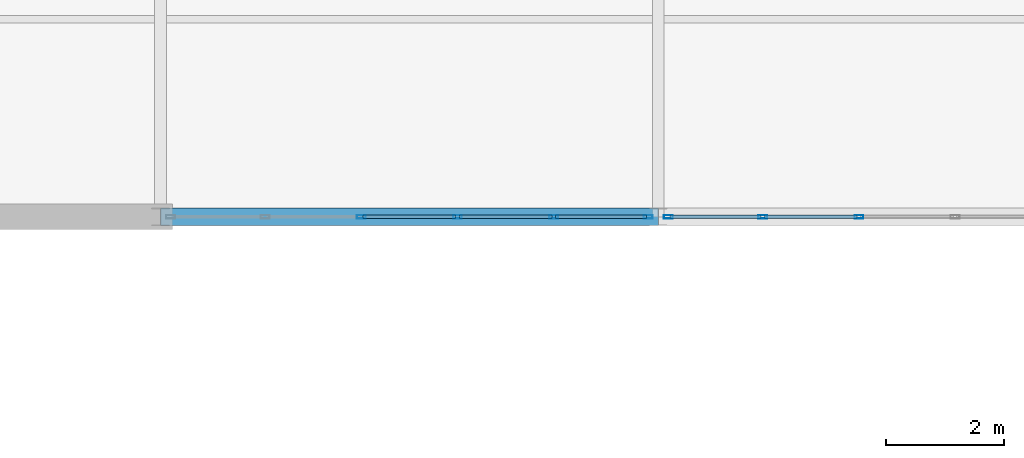
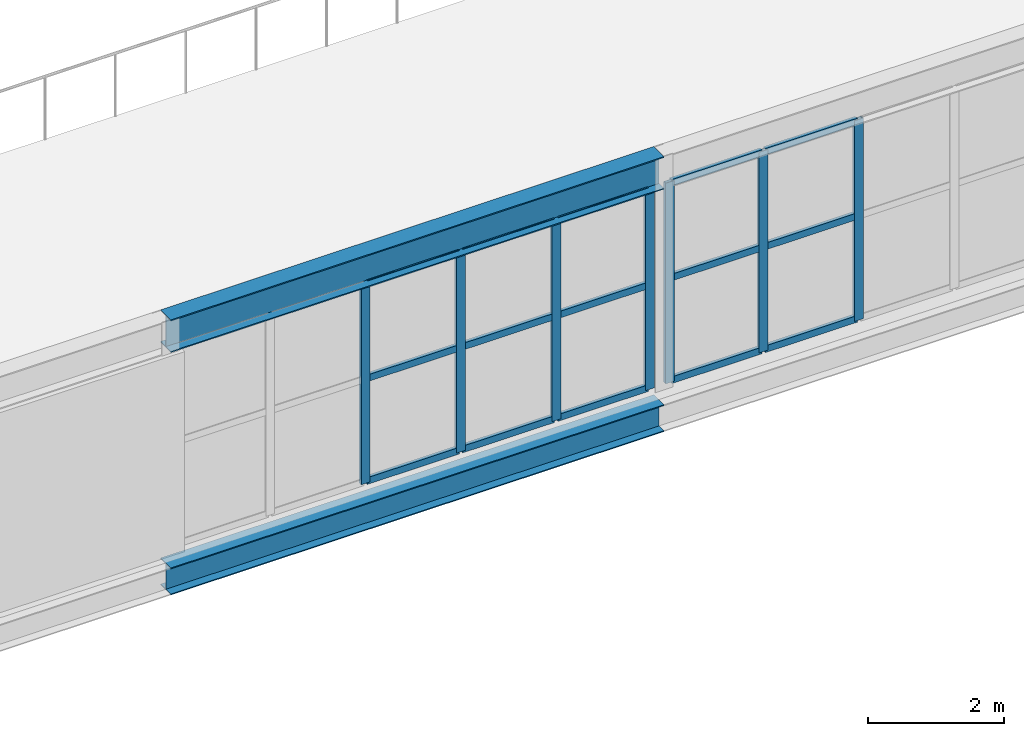
# One storey, part 91 of 218: 22 members, 2 beams, 2 elements without a shape of their own.
"""IFC4 building model written with IfcOpenShell, lengths in metres."""

from ifc_helpers import new_model, si_unit, direction, frame, origin, origin_2d, place, context, subcontext, project, spatial, hollow_rectangle, i_section, extrude, material, material_profile, profile_set, type_object, element, aggregate, save


model = new_model("IFC4")

# Units and contexts
model_context = context("Model", 3, precision=1e-05, world=origin(), true_north=direction((0.0, 1.0)))
body_context = subcontext(model_context, "Body", "Model", "MODEL_VIEW")
ifc_project = project(units=[si_unit("LENGTHUNIT", "METRE"), si_unit("AREAUNIT", "SQUARE_METRE"), si_unit("VOLUMEUNIT", "CUBIC_METRE"), si_unit("PLANEANGLEUNIT", "RADIAN"), si_unit("MASSUNIT", "GRAM", prefix="KILO")], contexts=[model_context])

# Site, building, storey
site_placement = place(None, origin())
site = spatial("IfcSite", under=ifc_project, at=site_placement, CompositionType="ELEMENT")
building_placement = place(site_placement, origin())
building = spatial("IfcBuilding", under=site, at=building_placement, Name="Kazenagashi Tramway Depot", CompositionType="ELEMENT")
storey_placement = place(building_placement, frame((0.0, 0.0, 6.0)))
storey = spatial("IfcBuildingStorey", under=building, at=storey_placement, Name="L02", CompositionType="ELEMENT", Elevation=6.0)

# Curtain wall, members
ifc_material_1 = material(Name="Anodised Aluminium and Low-E Glazing", Category="aluminium")
curtain_wall_type = type_object("IfcCurtainWallType", Name="CW-11", PredefinedType="USERDEFINED", material=ifc_material_1)
curtain_wall_1_placement = place(storey_placement, origin())
curtain_wall_1 = element("IfcCurtainWall", 1, at=curtain_wall_1_placement, inside=storey, type_object=curtain_wall_type, Name="Industrial Glazed Screen CW-11 CW-0020", ObjectType="GLAZED SCREEN", PredefinedType="USERDEFINED")
ifc_material_2 = material(Name="Anodised Aluminium", Category="aluminium")
ifc_material_profile_1 = material_profile(ifc_material_2, hollow_rectangle(XDim=0.06, YDim=0.15, WallThickness=0.004, at=origin_2d()), Name="RHS-150x60x4")
ifc_profile_set_1 = profile_set([ifc_material_profile_1], Name="Anodised Aluminium")
member_type_1 = type_object("IfcMemberType", Name="ML-01", PredefinedType="MULLION", material=ifc_profile_set_1)
member_1_placement = place(storey_placement, frame((64.988, 70.0, 0.0), z_axis=(0.0, 0.0, 1.0), x_axis=(0.0, 1.0, 0.0)))
member_1 = element("IfcMember", 2, at=member_1_placement, type_object=member_type_1, Name="CW-11 mullion 3", PredefinedType="MULLION", context=body_context, shape_type="SweptSolid", body=[
    extrude(hollow_rectangle(XDim=0.06, YDim=0.15, WallThickness=0.004, at=origin_2d()), origin(), (0.0, 0.0, 1.0), 3.612),
])
member_2_placement = place(storey_placement, frame((66.612, 70.0, 0.0), z_axis=(0.0, 0.0, 1.0), x_axis=(0.0, 1.0, 0.0)))
member_2 = element("IfcMember", 3, at=member_2_placement, type_object=member_type_1, Name="CW-11 mullion 4", PredefinedType="MULLION", context=body_context, shape_type="SweptSolid", body=[
    extrude(hollow_rectangle(XDim=0.06, YDim=0.15, WallThickness=0.004, at=origin_2d()), origin(), (0.0, 0.0, 1.0), 3.612),
])
member_3_placement = place(storey_placement, frame((68.236, 70.0, 0.0), z_axis=(0.0, 0.0, 1.0), x_axis=(0.0, 1.0, 0.0)))
member_3 = element("IfcMember", 4, at=member_3_placement, type_object=member_type_1, Name="CW-11 mullion 5", PredefinedType="MULLION", context=body_context, shape_type="SweptSolid", body=[
    extrude(hollow_rectangle(XDim=0.06, YDim=0.15, WallThickness=0.004, at=origin_2d()), origin(), (0.0, 0.0, 1.0), 3.612),
])
member_4_placement = place(storey_placement, frame((69.83, 70.0, 0.0), z_axis=(0.0, 0.0, 1.0), x_axis=(0.0, 1.0, 0.0)))
member_4 = element("IfcMember", 5, at=member_4_placement, type_object=member_type_1, Name="CW-11 mullion 6", PredefinedType="MULLION", context=body_context, shape_type="SweptSolid", body=[
    extrude(hollow_rectangle(XDim=0.06, YDim=0.15, WallThickness=0.004, at=origin_2d()), origin(), (0.0, 0.0, 1.0), 3.612),
])

curtain_wall_2_placement = place(storey_placement, origin())
curtain_wall_2 = element("IfcCurtainWall", 6, at=curtain_wall_2_placement, inside=storey, type_object=curtain_wall_type, Name="Industrial Glazed Screen CW-11 CW-0023", ObjectType="GLAZED SCREEN", PredefinedType="USERDEFINED")
member_5_placement = place(storey_placement, frame((70.17, 70.0, 0.0), z_axis=(0.0, 0.0, 1.0), x_axis=(0.0, 1.0, 0.0)))
member_5 = element("IfcMember", 7, at=member_5_placement, type_object=member_type_1, Name="CW-11 mullion 1", PredefinedType="MULLION", context=body_context, shape_type="SweptSolid", body=[
    extrude(hollow_rectangle(XDim=0.06, YDim=0.15, WallThickness=0.004, at=origin_2d()), origin(), (0.0, 0.0, 1.0), 3.612),
])
member_6_placement = place(storey_placement, frame((71.764, 70.0, 0.0), z_axis=(0.0, 0.0, 1.0), x_axis=(0.0, 1.0, 0.0)))
member_6 = element("IfcMember", 8, at=member_6_placement, type_object=member_type_1, Name="CW-11 mullion 2", PredefinedType="MULLION", context=body_context, shape_type="SweptSolid", body=[
    extrude(hollow_rectangle(XDim=0.06, YDim=0.15, WallThickness=0.004, at=origin_2d()), origin(), (0.0, 0.0, 1.0), 3.612),
])
member_7_placement = place(storey_placement, frame((73.388, 70.0, 0.0), z_axis=(0.0, 0.0, 1.0), x_axis=(0.0, 1.0, 0.0)))
member_7 = element("IfcMember", 9, at=member_7_placement, type_object=member_type_1, Name="CW-11 mullion 3", PredefinedType="MULLION", context=body_context, shape_type="SweptSolid", body=[
    extrude(hollow_rectangle(XDim=0.06, YDim=0.15, WallThickness=0.004, at=origin_2d()), origin(), (0.0, 0.0, 1.0), 3.612),
])

# Beams
ifc_material_3 = material(Name="Steel SN490B", Category="steel")
ifc_material_profile_2 = material_profile(ifc_material_3, i_section(OverallWidth=0.3, OverallDepth=0.588, WebThickness=0.012, FlangeThickness=0.02, at=origin_2d()), Name="H-588x300x12x20")
ifc_profile_set_2 = profile_set([ifc_material_profile_2], Name="Steel SN490B")
beam_type_1 = type_object("IfcBeamType", Name="SP-01", PredefinedType="SPANDREL", material=ifc_profile_set_2)
beam_1_placement = place(storey_placement, frame((61.6, 70.0, 3.906), z_axis=(1.0, 0.0, 0.0), x_axis=(0.0, 1.0, 0.0)))
element("IfcBeam", 10, at=beam_1_placement, inside=storey, type_object=beam_type_1, Name="Beam SP-01 BM-1846", PredefinedType="SPANDREL", context=body_context, shape_type="SweptSolid", body=[
    extrude(i_section(OverallWidth=0.3, OverallDepth=0.588, WebThickness=0.012, FlangeThickness=0.02, at=origin_2d()), origin(), (0.0, 0.0, 1.0), 8.4),
])
ifc_material_profile_3 = material_profile(ifc_material_3, i_section(OverallWidth=0.3, OverallDepth=0.488, WebThickness=0.011, FlangeThickness=0.018, at=origin_2d()), Name="H-488x300x11x18")
ifc_profile_set_3 = profile_set([ifc_material_profile_3], Name="Steel SN490B")
beam_type_2 = type_object("IfcBeamType", Name="SP-02", PredefinedType="SPANDREL", material=ifc_profile_set_3)
beam_2_placement = place(storey_placement, frame((61.6, 70.0, -0.509), z_axis=(1.0, 0.0, 0.0), x_axis=(0.0, 1.0, 0.0)))
element("IfcBeam", 11, at=beam_2_placement, inside=storey, type_object=beam_type_2, Name="Beam SP-02 BM-1703", PredefinedType="SPANDREL", context=body_context, shape_type="SweptSolid", body=[
    extrude(i_section(OverallWidth=0.3, OverallDepth=0.488, WebThickness=0.011, FlangeThickness=0.018, at=origin_2d()), origin(), (0.0, 0.0, 1.0), 8.4),
])

# Member
ifc_material_profile_4 = material_profile(ifc_material_2, hollow_rectangle(XDim=0.06, YDim=0.12, WallThickness=0.004, at=origin_2d()), Name="RHS-120x60x4")
ifc_profile_set_4 = profile_set([ifc_material_profile_4], Name="Anodised Aluminium")
member_type_2 = type_object("IfcMemberType", Name="TR-01", PredefinedType="USERDEFINED", material=ifc_profile_set_4)
member_8_placement = place(storey_placement, frame((65.018, 70.0, 0.03), z_axis=(1.0, 0.0, 0.0), x_axis=(0.0, 1.0, 0.0)))
member_8 = element("IfcMember", 12, at=member_8_placement, type_object=member_type_2, Name="CW-11 transom 3.1", ObjectType="TRANSOM", PredefinedType="USERDEFINED", context=body_context, shape_type="SweptSolid", body=[
    extrude(hollow_rectangle(XDim=0.06, YDim=0.12, WallThickness=0.004, at=origin_2d()), origin(), (0.0, 0.0, 1.0), 1.564),
])

member_9_placement = place(storey_placement, frame((65.018, 70.0, 1.878), z_axis=(1.0, 0.0, 0.0), x_axis=(0.0, 1.0, 0.0)))
member_9 = element("IfcMember", 13, at=member_9_placement, type_object=member_type_2, Name="CW-11 transom 3.2", ObjectType="TRANSOM", PredefinedType="USERDEFINED", context=body_context, shape_type="SweptSolid", body=[
    extrude(hollow_rectangle(XDim=0.06, YDim=0.12, WallThickness=0.004, at=origin_2d()), origin(), (0.0, 0.0, 1.0), 1.564),
])

member_10_placement = place(storey_placement, frame((65.018, 70.0, 3.582), z_axis=(1.0, 0.0, 0.0), x_axis=(0.0, 1.0, 0.0)))
member_10 = element("IfcMember", 14, at=member_10_placement, type_object=member_type_2, Name="CW-11 transom 3.3", ObjectType="TRANSOM", PredefinedType="USERDEFINED", context=body_context, shape_type="SweptSolid", body=[
    extrude(hollow_rectangle(XDim=0.06, YDim=0.12, WallThickness=0.004, at=origin_2d()), origin(), (0.0, 0.0, 1.0), 1.564),
])

member_11_placement = place(storey_placement, frame((66.642, 70.0, 0.03), z_axis=(1.0, 0.0, 0.0), x_axis=(0.0, 1.0, 0.0)))
member_11 = element("IfcMember", 15, at=member_11_placement, type_object=member_type_2, Name="CW-11 transom 4.1", ObjectType="TRANSOM", PredefinedType="USERDEFINED", context=body_context, shape_type="SweptSolid", body=[
    extrude(hollow_rectangle(XDim=0.06, YDim=0.12, WallThickness=0.004, at=origin_2d()), origin(), (0.0, 0.0, 1.0), 1.564),
])

member_12_placement = place(storey_placement, frame((66.642, 70.0, 1.878), z_axis=(1.0, 0.0, 0.0), x_axis=(0.0, 1.0, 0.0)))
member_12 = element("IfcMember", 16, at=member_12_placement, type_object=member_type_2, Name="CW-11 transom 4.2", ObjectType="TRANSOM", PredefinedType="USERDEFINED", context=body_context, shape_type="SweptSolid", body=[
    extrude(hollow_rectangle(XDim=0.06, YDim=0.12, WallThickness=0.004, at=origin_2d()), origin(), (0.0, 0.0, 1.0), 1.564),
])

member_13_placement = place(storey_placement, frame((66.642, 70.0, 3.582), z_axis=(1.0, 0.0, 0.0), x_axis=(0.0, 1.0, 0.0)))
member_13 = element("IfcMember", 17, at=member_13_placement, type_object=member_type_2, Name="CW-11 transom 4.3", ObjectType="TRANSOM", PredefinedType="USERDEFINED", context=body_context, shape_type="SweptSolid", body=[
    extrude(hollow_rectangle(XDim=0.06, YDim=0.12, WallThickness=0.004, at=origin_2d()), origin(), (0.0, 0.0, 1.0), 1.564),
])

member_14_placement = place(storey_placement, frame((68.266, 70.0, 0.03), z_axis=(1.0, 0.0, 0.0), x_axis=(0.0, 1.0, 0.0)))
member_14 = element("IfcMember", 18, at=member_14_placement, type_object=member_type_2, Name="CW-11 transom 5.1", ObjectType="TRANSOM", PredefinedType="USERDEFINED", context=body_context, shape_type="SweptSolid", body=[
    extrude(hollow_rectangle(XDim=0.06, YDim=0.12, WallThickness=0.004, at=origin_2d()), origin(), (0.0, 0.0, 1.0), 1.534),
])

member_15_placement = place(storey_placement, frame((68.266, 70.0, 1.878), z_axis=(1.0, 0.0, 0.0), x_axis=(0.0, 1.0, 0.0)))
member_15 = element("IfcMember", 19, at=member_15_placement, type_object=member_type_2, Name="CW-11 transom 5.2", ObjectType="TRANSOM", PredefinedType="USERDEFINED", context=body_context, shape_type="SweptSolid", body=[
    extrude(hollow_rectangle(XDim=0.06, YDim=0.12, WallThickness=0.004, at=origin_2d()), origin(), (0.0, 0.0, 1.0), 1.534),
])

member_16_placement = place(storey_placement, frame((68.266, 70.0, 3.582), z_axis=(1.0, 0.0, 0.0), x_axis=(0.0, 1.0, 0.0)))
member_16 = element("IfcMember", 20, at=member_16_placement, type_object=member_type_2, Name="CW-11 transom 5.3", ObjectType="TRANSOM", PredefinedType="USERDEFINED", context=body_context, shape_type="SweptSolid", body=[
    extrude(hollow_rectangle(XDim=0.06, YDim=0.12, WallThickness=0.004, at=origin_2d()), origin(), (0.0, 0.0, 1.0), 1.534),
])

aggregate(curtain_wall_1, [member_1, member_2, member_3, member_4, member_8, member_9, member_10, member_11, member_12, member_13, member_14, member_15, member_16])

member_17_placement = place(storey_placement, frame((70.2, 70.0, 0.03), z_axis=(1.0, 0.0, 0.0), x_axis=(0.0, 1.0, 0.0)))
member_17 = element("IfcMember", 21, at=member_17_placement, type_object=member_type_2, Name="CW-11 transom 1.1", ObjectType="TRANSOM", PredefinedType="USERDEFINED", context=body_context, shape_type="SweptSolid", body=[
    extrude(hollow_rectangle(XDim=0.06, YDim=0.12, WallThickness=0.004, at=origin_2d()), origin(), (0.0, 0.0, 1.0), 1.534),
])

member_18_placement = place(storey_placement, frame((70.2, 70.0, 1.878), z_axis=(1.0, 0.0, 0.0), x_axis=(0.0, 1.0, 0.0)))
member_18 = element("IfcMember", 22, at=member_18_placement, type_object=member_type_2, Name="CW-11 transom 1.2", ObjectType="TRANSOM", PredefinedType="USERDEFINED", context=body_context, shape_type="SweptSolid", body=[
    extrude(hollow_rectangle(XDim=0.06, YDim=0.12, WallThickness=0.004, at=origin_2d()), origin(), (0.0, 0.0, 1.0), 1.534),
])

member_19_placement = place(storey_placement, frame((70.2, 70.0, 3.582), z_axis=(1.0, 0.0, 0.0), x_axis=(0.0, 1.0, 0.0)))
member_19 = element("IfcMember", 23, at=member_19_placement, type_object=member_type_2, Name="CW-11 transom 1.3", ObjectType="TRANSOM", PredefinedType="USERDEFINED", context=body_context, shape_type="SweptSolid", body=[
    extrude(hollow_rectangle(XDim=0.06, YDim=0.12, WallThickness=0.004, at=origin_2d()), origin(), (0.0, 0.0, 1.0), 1.534),
])

member_20_placement = place(storey_placement, frame((71.794, 70.0, 0.03), z_axis=(1.0, 0.0, 0.0), x_axis=(0.0, 1.0, 0.0)))
member_20 = element("IfcMember", 24, at=member_20_placement, type_object=member_type_2, Name="CW-11 transom 2.1", ObjectType="TRANSOM", PredefinedType="USERDEFINED", context=body_context, shape_type="SweptSolid", body=[
    extrude(hollow_rectangle(XDim=0.06, YDim=0.12, WallThickness=0.004, at=origin_2d()), origin(), (0.0, 0.0, 1.0), 1.564),
])

member_21_placement = place(storey_placement, frame((71.794, 70.0, 1.878), z_axis=(1.0, 0.0, 0.0), x_axis=(0.0, 1.0, 0.0)))
member_21 = element("IfcMember", 25, at=member_21_placement, type_object=member_type_2, Name="CW-11 transom 2.2", ObjectType="TRANSOM", PredefinedType="USERDEFINED", context=body_context, shape_type="SweptSolid", body=[
    extrude(hollow_rectangle(XDim=0.06, YDim=0.12, WallThickness=0.004, at=origin_2d()), origin(), (0.0, 0.0, 1.0), 1.564),
])

member_22_placement = place(storey_placement, frame((71.794, 70.0, 3.582), z_axis=(1.0, 0.0, 0.0), x_axis=(0.0, 1.0, 0.0)))
member_22 = element("IfcMember", 26, at=member_22_placement, type_object=member_type_2, Name="CW-11 transom 2.3", ObjectType="TRANSOM", PredefinedType="USERDEFINED", context=body_context, shape_type="SweptSolid", body=[
    extrude(hollow_rectangle(XDim=0.06, YDim=0.12, WallThickness=0.004, at=origin_2d()), origin(), (0.0, 0.0, 1.0), 1.564),
])

aggregate(curtain_wall_2, [member_5, member_6, member_7, member_17, member_18, member_19, member_20, member_21, member_22])

save(model, "model.ifc")
